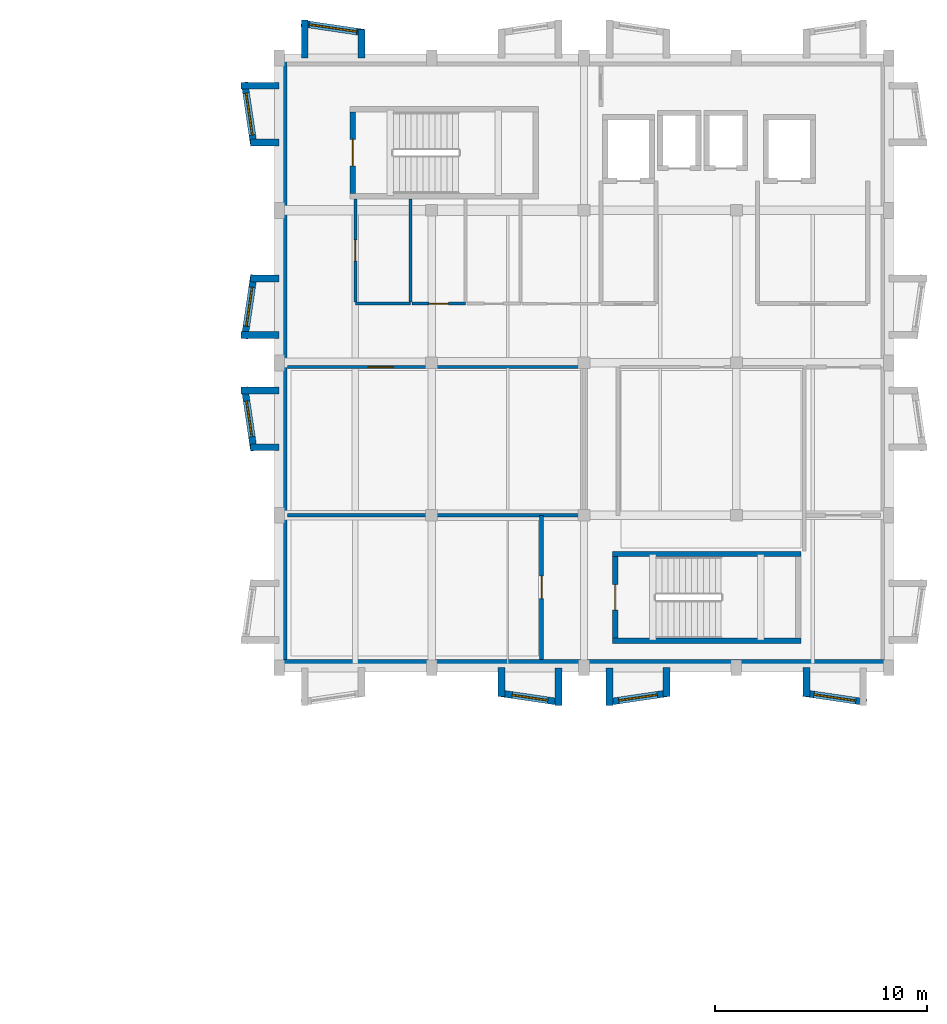
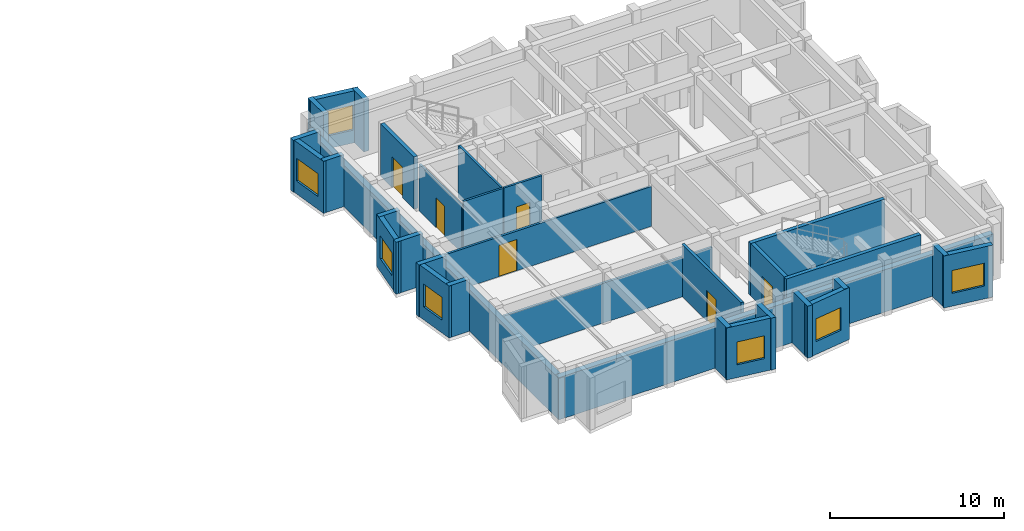
# One storey, part 6 of 12: 33 walls, 7 windows, 6 doors, 13 openings.
"""IFC4 building model written with IfcOpenShell, lengths in metres."""

import ifcopenshell
import ifcopenshell.guid

model = None  # the IFC model being written
_history = None  # IfcOwnerHistory: only IFC2X3 demands one
_inside = {}  # id of a spatial element -> (the spatial element, [elements in it])
_under = {}  # id of a project, library or spatial element -> (it, [spatial elements below it])
_declared = {}  # id of a project -> (the project, [libraries it declares])
_typed = {}  # id of a type object -> (the type object, [elements of that type])
_made_of = {}  # id of a material, layer set ... -> (it, [elements and type objects made of it])


def new_model(schema):
    """Start an empty IFC model of exactly this schema.

    Asked for "IFC4X3", IfcOpenShell would pick the latest addendum, in which some entities
    have other attributes; the version numbers below select the first issue.
    IFC2X3 requires an IfcOwnerHistory on every rooted entity: one is made here for all.
    """
    global model, _history
    if schema == "IFC4X3":
        model = ifcopenshell.file(schema_version=(4, 3, 0, 0))
    else:
        model = ifcopenshell.file(schema=schema)
    _inside.clear()
    _under.clear()
    _declared.clear()
    _typed.clear()
    _made_of.clear()
    _history = None
    if model.schema == "IFC2X3":
        org = make("IfcOrganization", Name="unknown")
        user = make(
            "IfcPersonAndOrganization",
            ThePerson=make("IfcPerson", FamilyName="unknown"),
            TheOrganization=org,
        )
        app = make(
            "IfcApplication",
            ApplicationDeveloper=org,
            Version="unknown",
            ApplicationFullName="unknown",
            ApplicationIdentifier="unknown",
        )
        _history = make(
            "IfcOwnerHistory",
            OwningUser=user,
            OwningApplication=app,
            ChangeAction="ADDED",
            CreationDate=0,
        )
    return model


def make(cls, **values):
    """One entity of the class cls with the attributes given. An attribute that is None is left unset."""
    return model.create_entity(
        cls, **{name: value for name, value in values.items() if value is not None}
    )


def rooted(cls, **values):
    """An entity with a GlobalId (a new one), such as an element, a storey or a relation."""
    return make(cls, GlobalId=ifcopenshell.guid.new(), OwnerHistory=_history, **values)


def si_unit(unit_type, name, prefix=None):
    """IfcSIUnit, for example si_unit("LENGTHUNIT", "METRE", prefix="MILLI")."""
    return make("IfcSIUnit", UnitType=unit_type, Prefix=prefix, Name=name)


def assignment(units):
    """IfcUnitAssignment: the units of a project."""
    return None if units is None else make("IfcUnitAssignment", Units=units)


def point(xyz):
    """IfcCartesianPoint."""
    return None if xyz is None else make("IfcCartesianPoint", Coordinates=xyz)


def direction(xyz):
    """IfcDirection."""
    return None if xyz is None else make("IfcDirection", DirectionRatios=xyz)


def frame(location, z_axis=None, x_axis=None):
    """IfcAxis2Placement3D, a coordinate frame: its origin and axes. An axis left out is left unset."""
    return make(
        "IfcAxis2Placement3D",
        Location=point(location),
        Axis=direction(z_axis),
        RefDirection=direction(x_axis),
    )


def frame_2d(location, x_axis=None):
    """IfcAxis2Placement2D, a coordinate frame in the plane: its origin and x axis."""
    return make(
        "IfcAxis2Placement2D", Location=point(location), RefDirection=direction(x_axis)
    )


def origin():
    """The frame at (0, 0, 0) with its axes left unset."""
    return frame((0.0, 0.0, 0.0))


def place(relative_to, where):
    """IfcLocalPlacement: puts the frame where relative to a parent placement (None: the world)."""
    return make(
        "IfcLocalPlacement", PlacementRelTo=relative_to, RelativePlacement=where
    )


def context(
    kind, dimensions, precision=None, world=None, true_north=None, identifier=None
):
    """IfcGeometricRepresentationContext, for example the 3D "Model" context."""
    return make(
        "IfcGeometricRepresentationContext",
        ContextIdentifier=identifier,
        ContextType=kind,
        CoordinateSpaceDimension=dimensions,
        Precision=precision,
        WorldCoordinateSystem=world,
        TrueNorth=true_north,
    )


def subcontext(parent, identifier, kind, view, scale=None):
    """IfcGeometricRepresentationSubContext, for example "Body" below "Model"."""
    return make(
        "IfcGeometricRepresentationSubContext",
        ContextIdentifier=identifier,
        ContextType=kind,
        ParentContext=parent,
        TargetScale=scale,
        TargetView=view,
    )


def project(units=None, contexts=None):
    """IfcProject with its units and contexts."""
    return rooted(
        "IfcProject",
        Name="project",
        RepresentationContexts=contexts,
        UnitsInContext=assignment(units),
    )


def spatial(cls, under=None, at=None, **own):
    """A site, building, storey or space (cls), placed at a placement, below another one or the project."""
    s = rooted(cls, ObjectPlacement=at, **own)
    if under is not None:
        _under.setdefault(under.id(), (under, []))[1].append(s)
    return s


def profile(cls, at=None, kind="AREA", **sizes):
    """A parametric profile (cls). Its sizes go by their IFC names, for example OverallWidth=200.0."""
    return make(cls, ProfileType=kind, Position=at, **sizes)


def rectangle(**sizes):
    """IfcRectangleProfileDef."""
    return profile("IfcRectangleProfileDef", **sizes)


def extrude(swept, where, along, depth):
    """IfcExtrudedAreaSolid: the profile swept, set in the frame where, extruded along a direction by depth."""
    return make(
        "IfcExtrudedAreaSolid",
        SweptArea=swept,
        Position=where,
        ExtrudedDirection=direction(along),
        Depth=depth,
    )


def shape(context_of_items, identifier, shape_type, items):
    """IfcShapeRepresentation: the items that make up one representation, for example the "Body"."""
    return make(
        "IfcShapeRepresentation",
        ContextOfItems=context_of_items,
        RepresentationIdentifier=identifier,
        RepresentationType=shape_type,
        Items=items,
    )


def material(Name=None, Category=None):
    """IfcMaterial."""
    return make("IfcMaterial", Name=Name, Category=Category)


def layer(
    of_material, thickness, ventilated=None, Name=None, Category=None, Priority=None
):
    """IfcMaterialLayer: one layer of a wall or slab, of a material (None: an air gap)."""
    return make(
        "IfcMaterialLayer",
        Material=of_material,
        LayerThickness=thickness,
        IsVentilated=ventilated,
        Name=Name,
        Category=Category,
        Priority=Priority,
    )


def layer_set(layers, Name=None):
    """IfcMaterialLayerSet."""
    return make("IfcMaterialLayerSet", MaterialLayers=layers, LayerSetName=Name)


def made_of(thing, what):
    """Note that an element or type object is made of a material, layer set ...; save() writes the relation."""
    if what is not None:
        _made_of.setdefault(what.id(), (what, []))[1].append(thing)
    return thing


def type_object(cls, material=None, **own):
    """A type object (cls), such as IfcWallType, which elements share."""
    return made_of(rooted(cls, **own), material)


def element(
    cls,
    number,
    at=None,
    inside=None,
    cuts=None,
    type_object=None,
    material=None,
    context=None,
    identifier="Body",
    shape_type=None,
    held_by="IfcProductDefinitionShape",
    body=None,
    shapes=None,
    **own,
):
    """One element of the class cls, such as IfcWall. Its Tag is "e" and its number.

    at: its placement. inside: the storey or other place that contains it. cuts: it is an
    opening in that element (IfcRelVoidsElement). A single representation is given by context,
    identifier, shape_type and body (its items); several are given by shapes. held_by: the class
    of the entity that holds the representations. save() writes the other relations.
    """
    e = rooted(cls, Tag="e%d" % number, ObjectPlacement=at, **own)
    if body is not None:
        shapes = [shape(context, identifier, shape_type, body)]
    if shapes is not None:
        e.Representation = make(held_by, Representations=shapes)
    if inside is not None:
        _inside.setdefault(inside.id(), (inside, []))[1].append(e)
    if cuts is not None:
        rooted(
            "IfcRelVoidsElement", RelatingBuildingElement=cuts, RelatedOpeningElement=e
        )
    if type_object is not None:
        _typed.setdefault(type_object.id(), (type_object, []))[1].append(e)
    return made_of(e, material)


def fill(opening, filler):
    """IfcRelFillsElement: the door or window that sits in an opening."""
    return rooted(
        "IfcRelFillsElement",
        RelatingOpeningElement=opening,
        RelatedBuildingElement=filler,
    )


def aggregate(whole, parts):
    """IfcRelAggregates: a whole, such as a stair, and the parts it consists of."""
    return rooted("IfcRelAggregates", RelatingObject=whole, RelatedObjects=parts)


def save(model, path):
    """Write the relations noted so far, then the file.

    IfcRelAggregates (storeys below a building ...), IfcRelContainedInSpatialStructure (elements
    in a storey), IfcRelDefinesByType, IfcRelAssociatesMaterial and IfcRelDeclares: one each for
    every whole, place, type object, material and project.
    """
    for whole, parts in _under.values():
        aggregate(whole, parts)
    for where, things in _inside.values():
        rooted(
            "IfcRelContainedInSpatialStructure",
            RelatedElements=things,
            RelatingStructure=where,
        )
    for kind, things in _typed.values():
        rooted("IfcRelDefinesByType", RelatedObjects=things, RelatingType=kind)
    for what, things in _made_of.values():
        rooted("IfcRelAssociatesMaterial", RelatedObjects=things, RelatingMaterial=what)
    for by, libraries in _declared.values():
        rooted("IfcRelDeclares", RelatingContext=by, RelatedDefinitions=libraries)
    model.write(path)


model = new_model("IFC4")

# Units and contexts
model_context = context("Model", 3, precision=1e-05, world=origin(), true_north=direction((0.0, 1.0)))
body_context = subcontext(model_context, "Body", "Model", "MODEL_VIEW")
ifc_project = project(units=[si_unit("LENGTHUNIT", "METRE"), si_unit("AREAUNIT", "SQUARE_METRE"), si_unit("VOLUMEUNIT", "CUBIC_METRE"), si_unit("PLANEANGLEUNIT", "RADIAN"), si_unit("MASSUNIT", "GRAM", prefix="KILO")], contexts=[model_context])

# Site, building, storey
site_placement = place(None, origin())
site = spatial("IfcSite", under=ifc_project, at=site_placement, CompositionType="ELEMENT")
building_placement = place(site_placement, origin())
building = spatial("IfcBuilding", under=site, at=building_placement, Name="Bramveld Media Centre", CompositionType="ELEMENT")
storey_placement = place(building_placement, frame((0.0, 0.0, 21.89990234375)))
storey = spatial("IfcBuildingStorey", under=building, at=storey_placement, Name="L05", CompositionType="ELEMENT", Elevation=21.89990234375)

# Wall, opening, door
ifc_material_1 = material(Name="Concrete C40/50 stair & lift core wall", Category="concrete")
ifc_layer_1 = layer(ifc_material_1, 0.25)
ifc_layer_set_1 = layer_set([ifc_layer_1], Name="Concrete C40/50 stair & lift core wall")
wall_type_1 = type_object("IfcWallType", Name="CWALL-SHEAR-250", PredefinedType="SHEAR", material=ifc_layer_set_1)
wall_1_placement = place(storey_placement, frame((134.675048828125, 109.449951171875, 0.0), z_axis=(0.0, 0.0, 1.0), x_axis=(0.0, -1.0, 0.0)))
wall_1 = element("IfcWall", 1, at=wall_1_placement, inside=storey, type_object=wall_type_1, Name="ST-01 L05 stair core shear wall W", PredefinedType="SHEAR", context=body_context, shape_type="SweptSolid", body=[
    extrude(rectangle(XDim=3.849853515625, YDim=0.25, at=frame_2d((1.9248046875, 0.0))), origin(), (0.0, 0.0, 1.0), 3.66015625),
])
opening_1_placement = place(wall_1_placement, frame((1.300048828125, 0.0, 0.0)))
opening_1 = element("IfcOpeningElement", 2, at=opening_1_placement, cuts=wall_1, Name="Opening SD-01-L05", PredefinedType="OPENING", context=body_context, shape_type="SweptSolid", body=[
    extrude(rectangle(XDim=1.25, YDim=2.14990234375, at=frame_2d((0.625, 1.074951171875))), frame((0.0, 0.136962890625, 0.0), z_axis=(0.0, -1.0, 0.0), x_axis=(1.0, 0.0, 0.0)), (0.0, 0.0, 1.0), 0.27392578125),
])
ifc_material_2 = material(Name="Painted galvanized steel acoustic fire door with intumescent smoke seals", Category="steel")
door_type_1 = type_object("IfcDoorType", Name="DR-ST-1250", OperationType="NOTDEFINED", PredefinedType="DOOR", material=ifc_material_2)
door_1_placement = place(opening_1_placement, origin())
door_1 = element("IfcDoor", 3, at=door_1_placement, inside=storey, type_object=door_type_1, Name="ST-01 L05 pressurized stair fire door", OperationType="SINGLE_SWING_RIGHT", OverallHeight=2.14990234375, OverallWidth=1.25, PredefinedType="DOOR", context=body_context, shape_type="SweptSolid", body=[
    extrude(rectangle(XDim=1.25, YDim=2.14990234375, at=frame_2d((0.625, 1.074951171875))), frame((0.0, 0.02490234375, 0.0), z_axis=(0.0, -1.0, 0.0), x_axis=(1.0, 0.0, 0.0)), (0.0, 0.0, 1.0), 0.050048828125),
])
fill(opening_1, door_1)

# Walls
for number, where, z_axis, x_axis, name in (
    (4, (146.949951171875, 84.47509765625, 0.0), (0.0, 0.0, 1.0), (1.0, 0.0, 0.0), "ST-02 L05 stair core shear wall S"),
    (5, (155.85009765625, 88.574951171875, 0.0), (0.0, 0.0, 1.0), (-1.0, 0.0, 0.0), "ST-02 L05 stair core shear wall N"),
):
    element("IfcWall", number, at=place(storey_placement, frame(where, z_axis=z_axis, x_axis=x_axis)), inside=storey, type_object=wall_type_1, Name=name, PredefinedType="SHEAR", context=body_context, shape_type="SweptSolid", body=[
        extrude(rectangle(XDim=8.900146484375, YDim=0.25, at=frame_2d((4.4501953125, 0.0))), origin(), (0.0, 0.0, 1.0), 3.66015625),
    ])

# Wall, opening, door
wall_2_placement = place(storey_placement, frame((147.074951171875, 88.449951171875, 0.0), z_axis=(0.0, 0.0, 1.0), x_axis=(0.0, -1.0, 0.0)))
wall_2 = element("IfcWall", 6, at=wall_2_placement, inside=storey, type_object=wall_type_1, Name="ST-02 L05 stair core shear wall W", PredefinedType="SHEAR", context=body_context, shape_type="SweptSolid", body=[
    extrude(rectangle(XDim=3.849853515625, YDim=0.25, at=frame_2d((1.9248046875, 0.0))), origin(), (0.0, 0.0, 1.0), 3.66015625),
])
opening_2_placement = place(wall_2_placement, frame((1.324951171875, 0.0, 0.0)))
opening_2 = element("IfcOpeningElement", 7, at=opening_2_placement, cuts=wall_2, Name="Opening SD-02-L05", PredefinedType="OPENING", context=body_context, shape_type="SweptSolid", body=[
    extrude(rectangle(XDim=1.199951171875, YDim=2.14990234375, at=frame_2d((0.60009765625, 1.074951171875))), frame((0.0, 0.136962890625, 0.0), z_axis=(0.0, -1.0, 0.0), x_axis=(1.0, 0.0, 0.0)), (0.0, 0.0, 1.0), 0.27392578125),
])
ifc_material_3 = material(Name="Painted galvanized steel acoustic fire door with intumescent smoke seals", Category="steel")
door_type_2 = type_object("IfcDoorType", Name="DR-ST-1200", OperationType="NOTDEFINED", PredefinedType="DOOR", material=ifc_material_3)
door_2_placement = place(opening_2_placement, origin())
door_2 = element("IfcDoor", 8, at=door_2_placement, inside=storey, type_object=door_type_2, Name="ST-02 L05 pressurized stair fire door", OperationType="SINGLE_SWING_RIGHT", OverallHeight=2.14990234375, OverallWidth=1.199951171875, PredefinedType="DOOR", context=body_context, shape_type="SweptSolid", body=[
    extrude(rectangle(XDim=1.199951171875, YDim=2.14990234375, at=frame_2d((0.60009765625, 1.074951171875))), frame((0.0, 0.02490234375, 0.0), z_axis=(0.0, -1.0, 0.0), x_axis=(1.0, 0.0, 0.0)), (0.0, 0.0, 1.0), 0.050048828125),
])
fill(opening_2, door_2)

# Walls
ifc_material_4 = material(Name="Flemish red-brown clay facing brick cavity wall with calcium-silicate backing", Category="masonry")
ifc_layer_2 = layer(ifc_material_4, 0.3798828125)
ifc_layer_set_2 = layer_set([ifc_layer_2], Name="Flemish red-brown clay facing brick cavity wall with calcium-silicate backing")
wall_type_2 = type_object("IfcWallType", Name="EW-BRK-380", PredefinedType="SOLIDWALL", material=ifc_layer_set_2)
wall_3_placement = place(storey_placement, frame((160.0, 83.389892578125, 0.0), z_axis=(0.0, 0.0, 1.0), x_axis=(-1.0, 0.0, 0.0)))
element("IfcWall", 9, at=wall_3_placement, inside=storey, type_object=wall_type_2, Name="V7 L05 S facing brick exterior wall", PredefinedType="SOLIDWALL", context=body_context, shape_type="SweptSolid", body=[
    extrude(rectangle(XDim=28.800048828125, YDim=0.3798828125, at=frame_2d((14.39990234375, 0.0))), origin(), (0.0, 0.0, 1.0), 2.955078125),
])
wall_4_placement = place(storey_placement, frame((131.389892578125, 83.199951171875, 0.0), z_axis=(0.0, 0.0, 1.0), x_axis=(0.0, 1.0, 0.0)))
element("IfcWall", 10, at=wall_4_placement, inside=storey, type_object=wall_type_2, Name="V7 L05 W facing brick exterior wall", PredefinedType="SOLIDWALL", context=body_context, shape_type="SweptSolid", body=[
    extrude(rectangle(XDim=28.800048828125, YDim=0.3798828125, at=frame_2d((14.39990234375, 0.0))), origin(), (0.0, 0.0, 1.0), 2.9150390625),
])

# Wall, opening, window
ifc_material_5 = material(Name="Precast concrete C40/50 & brick-slip faceted bay cheek wall", Category="masonry")
ifc_layer_3 = layer(ifc_material_5, 0.320068359375)
ifc_layer_set_3 = layer_set([ifc_layer_3], Name="Precast concrete C40/50 & brick-slip faceted bay cheek wall")
wall_type_3 = type_object("IfcWallType", Name="EW-FACET-320", PredefinedType="SOLIDWALL", material=ifc_layer_set_3)
wall_5_placement = place(storey_placement, frame((141.550048828125, 82.010009765625, 0.0), z_axis=(0.0, 0.0, 1.0), x_axis=(0.989266910268, -0.146119746268, 0.0)))
wall_5 = element("IfcWall", 11, at=wall_5_placement, inside=storey, type_object=wall_type_3, Name="V7 L05 S angled faceted bay front wall 2", PredefinedType="SOLIDWALL", context=body_context, shape_type="SweptSolid", body=[
    extrude(rectangle(XDim=3.032470703125, YDim=0.320068359375, at=frame_2d((1.51611328125, 0.0))), origin(), (0.0, 0.0, 1.0), 3.64013671875),
])
opening_3_placement = place(wall_5_placement, frame((0.666259765625, 0.0, 0.89990234375)))
opening_3 = element("IfcOpeningElement", 12, at=opening_3_placement, cuts=wall_5, Name="Opening W-29", PredefinedType="OPENING", context=body_context, shape_type="SweptSolid", body=[
    extrude(rectangle(XDim=1.699951171875, YDim=1.60009765625, at=frame_2d((0.85009765625, 0.800048828125))), frame((0.0, 0.171875, 0.0), z_axis=(0.0, -1.0, 0.0), x_axis=(1.0, 0.0, 0.0)), (0.0, 0.0, 1.0), 0.343994140625),
])
ifc_material_6 = material(Name="Thermally broken anodized bronze aluminium frame with triple acoustic glazing", Category="aluminium")
window_type_1 = type_object("IfcWindowType", Name="WIN-FAC-29", PartitioningType="SINGLE_PANEL", PredefinedType="WINDOW", material=ifc_material_6)
window_1_placement = place(opening_3_placement, origin())
window_1 = element("IfcWindow", 13, at=window_1_placement, inside=storey, type_object=window_type_1, Name="V7 L05 S faceted bay window 2", OverallHeight=1.60009765625, OverallWidth=1.699951171875, PartitioningType="SINGLE_PANEL", PredefinedType="WINDOW", context=body_context, shape_type="SweptSolid", body=[
    extrude(rectangle(XDim=1.699951171875, YDim=1.60009765625, at=frame_2d((0.85009765625, 0.800048828125))), frame((0.0, 0.030029296875, 0.0), z_axis=(0.0, -1.0, 0.0), x_axis=(1.0, 0.0, 0.0)), (0.0, 0.0, 1.0), 0.06005859375),
])
fill(opening_3, window_1)

# Walls
wall_6_placement = place(storey_placement, frame((141.7099609375, 83.199951171875, 0.0), z_axis=(0.0, 0.0, 1.0), x_axis=(0.0, -1.0, 0.0)))
element("IfcWall", 14, at=wall_6_placement, inside=storey, type_object=wall_type_3, Name="V7 L05 S faceted bay cheek wall", PredefinedType="SOLIDWALL", context=body_context, shape_type="SweptSolid", body=[
    extrude(rectangle(XDim=1.349853515625, YDim=0.320068359375, at=frame_2d((0.6748046875, 0.0))), origin(), (0.0, 0.0, 1.0), 3.64013671875),
])
wall_7_placement = place(storey_placement, frame((144.389892578125, 83.199951171875, 0.0), z_axis=(0.0, 0.0, 1.0), x_axis=(0.0, -1.0, 0.0)))
element("IfcWall", 15, at=wall_7_placement, inside=storey, type_object=wall_type_3, Name="V7 L05 S faceted bay cheek wall", PredefinedType="SOLIDWALL", context=body_context, shape_type="SweptSolid", body=[
    extrude(rectangle(XDim=1.79296875, YDim=0.320068359375, at=frame_2d((0.896484375, 0.0))), origin(), (0.0, 0.0, 1.0), 3.64013671875),
])

# Wall, opening, window
wall_8_placement = place(storey_placement, frame((146.64990234375, 81.56689453125, 0.0), z_axis=(0.0, 0.0, 1.0), x_axis=(0.989266910268, 0.146119746268, 0.0)))
wall_8 = element("IfcWall", 16, at=wall_8_placement, inside=storey, type_object=wall_type_3, Name="V7 L05 S angled faceted bay front wall 3", PredefinedType="SOLIDWALL", context=body_context, shape_type="SweptSolid", body=[
    extrude(rectangle(XDim=3.032470703125, YDim=0.320068359375, at=frame_2d((1.51611328125, 0.0))), origin(), (0.0, 0.0, 1.0), 3.64013671875),
])
opening_4_placement = place(wall_8_placement, frame((0.59130859375, 0.0, 0.89990234375)))
opening_4 = element("IfcOpeningElement", 17, at=opening_4_placement, cuts=wall_8, Name="Opening W-30", PredefinedType="OPENING", context=body_context, shape_type="SweptSolid", body=[
    extrude(rectangle(XDim=1.85009765625, YDim=1.60009765625, at=frame_2d((0.925048828125, 0.800048828125))), frame((0.0, 0.171875, 0.0), z_axis=(0.0, -1.0, 0.0), x_axis=(1.0, 0.0, 0.0)), (0.0, 0.0, 1.0), 0.343994140625),
])
ifc_material_7 = material(Name="Thermally broken anodized bronze aluminium frame with triple acoustic glazing", Category="aluminium")
window_type_2 = type_object("IfcWindowType", Name="WIN-FAC-30", PartitioningType="SINGLE_PANEL", PredefinedType="WINDOW", material=ifc_material_7)
window_2_placement = place(opening_4_placement, origin())
window_2 = element("IfcWindow", 18, at=window_2_placement, inside=storey, type_object=window_type_2, Name="V7 L05 S faceted bay window 3", OverallHeight=1.60009765625, OverallWidth=1.85009765625, PartitioningType="SINGLE_PANEL", PredefinedType="WINDOW", context=body_context, shape_type="SweptSolid", body=[
    extrude(rectangle(XDim=1.85009765625, YDim=1.60009765625, at=frame_2d((0.925048828125, 0.800048828125))), frame((0.0, 0.030029296875, 0.0), z_axis=(0.0, -1.0, 0.0), x_axis=(1.0, 0.0, 0.0)), (0.0, 0.0, 1.0), 0.06005859375),
])
fill(opening_4, window_2)

# Walls
wall_9_placement = place(storey_placement, frame((146.81005859375, 83.199951171875, 0.0), z_axis=(0.0, 0.0, 1.0), x_axis=(0.0, -1.0, 0.0)))
element("IfcWall", 19, at=wall_9_placement, inside=storey, type_object=wall_type_3, Name="V7 L05 S faceted bay cheek wall", PredefinedType="SOLIDWALL", context=body_context, shape_type="SweptSolid", body=[
    extrude(rectangle(XDim=1.79296875, YDim=0.320068359375, at=frame_2d((0.896484375, 0.0))), origin(), (0.0, 0.0, 1.0), 3.64013671875),
])
wall_10_placement = place(storey_placement, frame((149.489990234375, 83.199951171875, 0.0), z_axis=(0.0, 0.0, 1.0), x_axis=(0.0, -1.0, 0.0)))
element("IfcWall", 20, at=wall_10_placement, inside=storey, type_object=wall_type_3, Name="V7 L05 S faceted bay cheek wall", PredefinedType="SOLIDWALL", context=body_context, shape_type="SweptSolid", body=[
    extrude(rectangle(XDim=1.349853515625, YDim=0.320068359375, at=frame_2d((0.6748046875, 0.0))), origin(), (0.0, 0.0, 1.0), 3.64013671875),
])

# Wall, opening, window
wall_11_placement = place(storey_placement, frame((155.949951171875, 82.010009765625, 0.0), z_axis=(0.0, 0.0, 1.0), x_axis=(0.989266910268, -0.146119746268, 0.0)))
wall_11 = element("IfcWall", 21, at=wall_11_placement, inside=storey, type_object=wall_type_3, Name="V7 L05 S angled faceted bay front wall 4", PredefinedType="SOLIDWALL", context=body_context, shape_type="SweptSolid", body=[
    extrude(rectangle(XDim=3.032470703125, YDim=0.320068359375, at=frame_2d((1.51611328125, 0.0))), origin(), (0.0, 0.0, 1.0), 3.64013671875),
])
opening_5_placement = place(wall_11_placement, frame((0.516357421875, 0.0, 0.89990234375)))
opening_5 = element("IfcOpeningElement", 22, at=opening_5_placement, cuts=wall_11, Name="Opening W-31", PredefinedType="OPENING", context=body_context, shape_type="SweptSolid", body=[
    extrude(rectangle(XDim=2.0, YDim=1.60009765625, at=frame_2d((1.0, 0.800048828125))), frame((0.0, 0.171875, 0.0), z_axis=(0.0, -1.0, 0.0), x_axis=(1.0, 0.0, 0.0)), (0.0, 0.0, 1.0), 0.343994140625),
])
ifc_material_8 = material(Name="Thermally broken anodized bronze aluminium frame with triple acoustic glazing", Category="aluminium")
window_type_3 = type_object("IfcWindowType", Name="WIN-FAC-31", PartitioningType="SINGLE_PANEL", PredefinedType="WINDOW", material=ifc_material_8)
window_3_placement = place(opening_5_placement, origin())
window_3 = element("IfcWindow", 23, at=window_3_placement, inside=storey, type_object=window_type_3, Name="V7 L05 S faceted bay window 4", OverallHeight=1.60009765625, OverallWidth=2.0, PartitioningType="SINGLE_PANEL", PredefinedType="WINDOW", context=body_context, shape_type="SweptSolid", body=[
    extrude(rectangle(XDim=2.0, YDim=1.60009765625, at=frame_2d((1.0, 0.800048828125))), frame((0.0, 0.030029296875, 0.0), z_axis=(0.0, -1.0, 0.0), x_axis=(1.0, 0.0, 0.0)), (0.0, 0.0, 1.0), 0.06005859375),
])
fill(opening_5, window_3)

# Wall
wall_12_placement = place(storey_placement, frame((156.110107421875, 83.199951171875, 0.0), z_axis=(0.0, 0.0, 1.0), x_axis=(0.0, -1.0, 0.0)))
element("IfcWall", 24, at=wall_12_placement, inside=storey, type_object=wall_type_3, Name="V7 L05 S faceted bay cheek wall", PredefinedType="SOLIDWALL", context=body_context, shape_type="SweptSolid", body=[
    extrude(rectangle(XDim=1.349853515625, YDim=0.320068359375, at=frame_2d((0.6748046875, 0.0))), origin(), (0.0, 0.0, 1.0), 3.64013671875),
])

# Wall, opening, window
wall_13_placement = place(storey_placement, frame((135.25, 113.18994140625, 0.0), z_axis=(0.0, 0.0, 1.0), x_axis=(-0.989266910268, 0.146119746268, 0.0)))
wall_13 = element("IfcWall", 25, at=wall_13_placement, inside=storey, type_object=wall_type_3, Name="V7 L05 N angled faceted bay front wall 1", PredefinedType="SOLIDWALL", context=body_context, shape_type="SweptSolid", body=[
    extrude(rectangle(XDim=3.032470703125, YDim=0.320068359375, at=frame_2d((1.51611328125, 0.0))), origin(), (0.0, 0.0, 1.0), 3.64013671875),
])
opening_6_placement = place(wall_13_placement, frame((0.391357421875, 0.0, 0.89990234375)))
opening_6 = element("IfcOpeningElement", 26, at=opening_6_placement, cuts=wall_13, Name="Opening W-36", PredefinedType="OPENING", context=body_context, shape_type="SweptSolid", body=[
    extrude(rectangle(XDim=2.25, YDim=1.75, at=frame_2d((1.125, 0.875))), frame((0.0, 0.171875, 0.0), z_axis=(0.0, -1.0, 0.0), x_axis=(1.0, 0.0, 0.0)), (0.0, 0.0, 1.0), 0.343994140625),
])
ifc_material_9 = material(Name="Thermally broken anodized bronze aluminium frame with triple acoustic glazing", Category="aluminium")
window_type_4 = type_object("IfcWindowType", Name="WIN-FAC-36", PartitioningType="SINGLE_PANEL", PredefinedType="WINDOW", material=ifc_material_9)
window_4_placement = place(opening_6_placement, origin())
window_4 = element("IfcWindow", 27, at=window_4_placement, inside=storey, type_object=window_type_4, Name="V7 L05 N faceted bay window 1", OverallHeight=1.75, OverallWidth=2.25, PartitioningType="SINGLE_PANEL", PredefinedType="WINDOW", context=body_context, shape_type="SweptSolid", body=[
    extrude(rectangle(XDim=2.25, YDim=1.75, at=frame_2d((1.125, 0.875))), frame((0.0, 0.030029296875, 0.0), z_axis=(0.0, -1.0, 0.0), x_axis=(1.0, 0.0, 0.0)), (0.0, 0.0, 1.0), 0.06005859375),
])
fill(opening_6, window_4)

# Walls
wall_14_placement = place(storey_placement, frame((132.409912109375, 112.0, 0.0), z_axis=(0.0, 0.0, 1.0), x_axis=(0.0, 1.0, 0.0)))
element("IfcWall", 28, at=wall_14_placement, inside=storey, type_object=wall_type_3, Name="V7 L05 N faceted bay cheek wall", PredefinedType="SOLIDWALL", context=body_context, shape_type="SweptSolid", body=[
    extrude(rectangle(XDim=1.79296875, YDim=0.320068359375, at=frame_2d((0.896484375, 0.0))), origin(), (0.0, 0.0, 1.0), 3.64013671875),
])
wall_15_placement = place(storey_placement, frame((135.090087890625, 112.0, 0.0), z_axis=(0.0, 0.0, 1.0), x_axis=(0.0, 1.0, 0.0)))
element("IfcWall", 29, at=wall_15_placement, inside=storey, type_object=wall_type_3, Name="V7 L05 N faceted bay cheek wall", PredefinedType="SOLIDWALL", context=body_context, shape_type="SweptSolid", body=[
    extrude(rectangle(XDim=1.35009765625, YDim=0.320068359375, at=frame_2d((0.675048828125, 0.0))), origin(), (0.0, 0.0, 1.0), 3.64013671875),
])

# Wall, opening, window
wall_16_placement = place(storey_placement, frame((129.56689453125, 96.449951171875, 0.0), z_axis=(0.0, 0.0, 1.0), x_axis=(0.146119746268, -0.989266910268, 0.0)))
wall_16 = element("IfcWall", 30, at=wall_16_placement, inside=storey, type_object=wall_type_3, Name="V7 L05 W angled faceted bay front wall 2", PredefinedType="SOLIDWALL", context=body_context, shape_type="SweptSolid", body=[
    extrude(rectangle(XDim=3.032470703125, YDim=0.320068359375, at=frame_2d((1.51611328125, 0.0))), origin(), (0.0, 0.0, 1.0), 3.64013671875),
])
opening_7_placement = place(wall_16_placement, frame((0.666259765625, 0.0, 0.89990234375)))
opening_7 = element("IfcOpeningElement", 31, at=opening_7_placement, cuts=wall_16, Name="Opening W-29", PredefinedType="OPENING", context=body_context, shape_type="SweptSolid", body=[
    extrude(rectangle(XDim=1.699951171875, YDim=1.60009765625, at=frame_2d((0.85009765625, 0.800048828125))), frame((0.0, 0.171875, 0.0), z_axis=(0.0, -1.0, 0.0), x_axis=(1.0, 0.0, 0.0)), (0.0, 0.0, 1.0), 0.343994140625),
])
window_5_placement = place(opening_7_placement, origin())
window_5 = element("IfcWindow", 32, at=window_5_placement, inside=storey, type_object=window_type_1, Name="V7 L05 W faceted bay window 2", OverallHeight=1.60009765625, OverallWidth=1.699951171875, PartitioningType="SINGLE_PANEL", PredefinedType="WINDOW", context=body_context, shape_type="SweptSolid", body=[
    extrude(rectangle(XDim=1.699951171875, YDim=1.60009765625, at=frame_2d((0.85009765625, 0.800048828125))), frame((0.0, 0.030029296875, 0.0), z_axis=(0.0, -1.0, 0.0), x_axis=(1.0, 0.0, 0.0)), (0.0, 0.0, 1.0), 0.06005859375),
])
fill(opening_7, window_5)

# Walls
wall_17_placement = place(storey_placement, frame((131.199951171875, 93.610107421875, 0.0), z_axis=(0.0, 0.0, 1.0), x_axis=(-1.0, 0.0, 0.0)))
element("IfcWall", 33, at=wall_17_placement, inside=storey, type_object=wall_type_3, Name="V7 L05 W faceted bay cheek wall", PredefinedType="SOLIDWALL", context=body_context, shape_type="SweptSolid", body=[
    extrude(rectangle(XDim=1.349853515625, YDim=0.320068359375, at=frame_2d((0.6748046875, 0.0))), origin(), (0.0, 0.0, 1.0), 3.64013671875),
])
wall_18_placement = place(storey_placement, frame((131.199951171875, 96.2900390625, 0.0), z_axis=(0.0, 0.0, 1.0), x_axis=(-1.0, 0.0, 0.0)))
element("IfcWall", 34, at=wall_18_placement, inside=storey, type_object=wall_type_3, Name="V7 L05 W faceted bay cheek wall", PredefinedType="SOLIDWALL", context=body_context, shape_type="SweptSolid", body=[
    extrude(rectangle(XDim=1.79296875, YDim=0.320068359375, at=frame_2d((0.896484375, 0.0))), origin(), (0.0, 0.0, 1.0), 3.64013671875),
])

# Wall, opening, window
wall_19_placement = place(storey_placement, frame((130.010009765625, 101.75, 0.0), z_axis=(0.0, 0.0, 1.0), x_axis=(-0.146119746268, -0.989266910268, 0.0)))
wall_19 = element("IfcWall", 35, at=wall_19_placement, inside=storey, type_object=wall_type_3, Name="V7 L05 W angled faceted bay front wall 3", PredefinedType="SOLIDWALL", context=body_context, shape_type="SweptSolid", body=[
    extrude(rectangle(XDim=3.032470703125, YDim=0.320068359375, at=frame_2d((1.51611328125, 0.0))), origin(), (0.0, 0.0, 1.0), 3.64013671875),
])
opening_8_placement = place(wall_19_placement, frame((0.59130859375, 0.0, 0.89990234375)))
opening_8 = element("IfcOpeningElement", 36, at=opening_8_placement, cuts=wall_19, Name="Opening W-30", PredefinedType="OPENING", context=body_context, shape_type="SweptSolid", body=[
    extrude(rectangle(XDim=1.85009765625, YDim=1.60009765625, at=frame_2d((0.925048828125, 0.800048828125))), frame((0.0, 0.171875, 0.0), z_axis=(0.0, -1.0, 0.0), x_axis=(1.0, 0.0, 0.0)), (0.0, 0.0, 1.0), 0.343994140625),
])
window_6_placement = place(opening_8_placement, origin())
window_6 = element("IfcWindow", 37, at=window_6_placement, inside=storey, type_object=window_type_2, Name="V7 L05 W faceted bay window 3", OverallHeight=1.60009765625, OverallWidth=1.85009765625, PartitioningType="SINGLE_PANEL", PredefinedType="WINDOW", context=body_context, shape_type="SweptSolid", body=[
    extrude(rectangle(XDim=1.85009765625, YDim=1.60009765625, at=frame_2d((0.925048828125, 0.800048828125))), frame((0.0, 0.030029296875, 0.0), z_axis=(0.0, -1.0, 0.0), x_axis=(1.0, 0.0, 0.0)), (0.0, 0.0, 1.0), 0.06005859375),
])
fill(opening_8, window_6)

# Walls
wall_20_placement = place(storey_placement, frame((131.199951171875, 98.909912109375, 0.0), z_axis=(0.0, 0.0, 1.0), x_axis=(-1.0, 0.0, 0.0)))
element("IfcWall", 38, at=wall_20_placement, inside=storey, type_object=wall_type_3, Name="V7 L05 W faceted bay cheek wall", PredefinedType="SOLIDWALL", context=body_context, shape_type="SweptSolid", body=[
    extrude(rectangle(XDim=1.79296875, YDim=0.320068359375, at=frame_2d((0.896484375, 0.0))), origin(), (0.0, 0.0, 1.0), 3.64013671875),
])
wall_21_placement = place(storey_placement, frame((131.199951171875, 101.590087890625, 0.0), z_axis=(0.0, 0.0, 1.0), x_axis=(-1.0, 0.0, 0.0)))
element("IfcWall", 39, at=wall_21_placement, inside=storey, type_object=wall_type_3, Name="V7 L05 W faceted bay cheek wall", PredefinedType="SOLIDWALL", context=body_context, shape_type="SweptSolid", body=[
    extrude(rectangle(XDim=1.349853515625, YDim=0.320068359375, at=frame_2d((0.6748046875, 0.0))), origin(), (0.0, 0.0, 1.0), 3.64013671875),
])

# Wall, opening, window
wall_22_placement = place(storey_placement, frame((129.56689453125, 110.85009765625, 0.0), z_axis=(0.0, 0.0, 1.0), x_axis=(0.146119746268, -0.989266910268, 0.0)))
wall_22 = element("IfcWall", 40, at=wall_22_placement, inside=storey, type_object=wall_type_3, Name="V7 L05 W angled faceted bay front wall 4", PredefinedType="SOLIDWALL", context=body_context, shape_type="SweptSolid", body=[
    extrude(rectangle(XDim=3.032470703125, YDim=0.320068359375, at=frame_2d((1.51611328125, 0.0))), origin(), (0.0, 0.0, 1.0), 3.64013671875),
])
opening_9_placement = place(wall_22_placement, frame((0.516357421875, 0.0, 0.89990234375)))
opening_9 = element("IfcOpeningElement", 41, at=opening_9_placement, cuts=wall_22, Name="Opening W-31", PredefinedType="OPENING", context=body_context, shape_type="SweptSolid", body=[
    extrude(rectangle(XDim=2.0, YDim=1.60009765625, at=frame_2d((1.0, 0.800048828125))), frame((0.0, 0.171875, 0.0), z_axis=(0.0, -1.0, 0.0), x_axis=(1.0, 0.0, 0.0)), (0.0, 0.0, 1.0), 0.343994140625),
])
window_7_placement = place(opening_9_placement, origin())
window_7 = element("IfcWindow", 42, at=window_7_placement, inside=storey, type_object=window_type_3, Name="V7 L05 W faceted bay window 4", OverallHeight=1.60009765625, OverallWidth=2.0, PartitioningType="SINGLE_PANEL", PredefinedType="WINDOW", context=body_context, shape_type="SweptSolid", body=[
    extrude(rectangle(XDim=2.0, YDim=1.60009765625, at=frame_2d((1.0, 0.800048828125))), frame((0.0, 0.030029296875, 0.0), z_axis=(0.0, -1.0, 0.0), x_axis=(1.0, 0.0, 0.0)), (0.0, 0.0, 1.0), 0.06005859375),
])
fill(opening_9, window_7)

# Walls
wall_23_placement = place(storey_placement, frame((131.199951171875, 108.010009765625, 0.0), z_axis=(0.0, 0.0, 1.0), x_axis=(-1.0, 0.0, 0.0)))
element("IfcWall", 43, at=wall_23_placement, inside=storey, type_object=wall_type_3, Name="V7 L05 W faceted bay cheek wall", PredefinedType="SOLIDWALL", context=body_context, shape_type="SweptSolid", body=[
    extrude(rectangle(XDim=1.349853515625, YDim=0.320068359375, at=frame_2d((0.6748046875, 0.0))), origin(), (0.0, 0.0, 1.0), 3.64013671875),
])
wall_24_placement = place(storey_placement, frame((131.199951171875, 110.68994140625, 0.0), z_axis=(0.0, 0.0, 1.0), x_axis=(-1.0, 0.0, 0.0)))
element("IfcWall", 44, at=wall_24_placement, inside=storey, type_object=wall_type_3, Name="V7 L05 W faceted bay cheek wall", PredefinedType="SOLIDWALL", context=body_context, shape_type="SweptSolid", body=[
    extrude(rectangle(XDim=1.79296875, YDim=0.320068359375, at=frame_2d((0.896484375, 0.0))), origin(), (0.0, 0.0, 1.0), 3.64013671875),
])

# Wall, opening, door
ifc_material_10 = material(Name="Fire-rated twin-frame gypsum corridor wall", Category="gypsum")
ifc_layer_4 = layer(ifc_material_10, 0.179931640625)
ifc_layer_set_4 = layer_set([ifc_layer_4], Name="Fire-rated twin-frame gypsum corridor wall")
wall_type_4 = type_object("IfcWallType", Name="IW-FIRE-180", PredefinedType="PARTITIONING", material=ifc_layer_set_4)
wall_25_placement = place(storey_placement, frame((143.60009765625, 83.60009765625, 0.0), z_axis=(0.0, 0.0, 1.0), x_axis=(0.0, 1.0, 0.0)))
wall_25 = element("IfcWall", 45, at=wall_25_placement, inside=storey, type_object=wall_type_4, Name="Stair ST-02 L05 Landing Lobby partition wall", PredefinedType="PARTITIONING", context=body_context, shape_type="SweptSolid", body=[
    extrude(rectangle(XDim=6.7998046875, YDim=0.179931640625, at=frame_2d((3.39990234375, 0.0))), origin(), (0.0, 0.0, 1.0), 3.66015625),
])
opening_10_placement = place(wall_25_placement, frame((2.860107421875, 0.0, 0.0)))
opening_10 = element("IfcOpeningElement", 46, at=opening_10_placement, cuts=wall_25, Name="Opening D-05-202", PredefinedType="OPENING", context=body_context, shape_type="SweptSolid", body=[
    extrude(rectangle(XDim=1.080078125, YDim=2.14990234375, at=frame_2d((0.5400390625, 1.074951171875))), frame((0.0, 0.10205078125, 0.0), z_axis=(0.0, -1.0, 0.0), x_axis=(1.0, 0.0, 0.0)), (0.0, 0.0, 1.0), 0.203857421875),
])
ifc_material_11 = material(Name="Solid-core European oak acoustic timber leaf in steel frame", Category="steel")
door_type_3 = type_object("IfcDoorType", Name="DR-RM-1080", OperationType="NOTDEFINED", PredefinedType="DOOR", material=ifc_material_11)
door_3_placement = place(opening_10_placement, origin())
door_3 = element("IfcDoor", 47, at=door_3_placement, inside=storey, type_object=door_type_3, Name="International Cinema Subtitling Studio entrance door", OperationType="SINGLE_SWING_RIGHT", OverallHeight=2.14990234375, OverallWidth=1.080078125, PredefinedType="DOOR", context=body_context, shape_type="SweptSolid", body=[
    extrude(rectangle(XDim=1.080078125, YDim=2.14990234375, at=frame_2d((0.5400390625, 1.074951171875))), frame((0.0, 0.02490234375, 0.0), z_axis=(0.0, -1.0, 0.0), x_axis=(1.0, 0.0, 0.0)), (0.0, 0.0, 1.0), 0.050048828125),
])
fill(opening_10, door_3)

# Wall
ifc_material_12 = material(Name="Insulated metal-stud gypsum room partition", Category="gypsum")
ifc_layer_5 = layer(ifc_material_12, 0.14990234375)
ifc_layer_set_5 = layer_set([ifc_layer_5], Name="Insulated metal-stud gypsum room partition")
wall_type_5 = type_object("IfcWallType", Name="IW-PART-150", PredefinedType="PARTITIONING", material=ifc_layer_set_5)
wall_26_placement = place(storey_placement, frame((131.60009765625, 90.39990234375, 0.0), z_axis=(0.0, 0.0, 1.0), x_axis=(1.0, 0.0, 0.0)))
element("IfcWall", 48, at=wall_26_placement, inside=storey, type_object=wall_type_5, Name="Festival Directorate & Programming Office partition wall", PredefinedType="PARTITIONING", context=body_context, shape_type="SweptSolid", body=[
    extrude(rectangle(XDim=13.89990234375, YDim=0.14990234375, at=frame_2d((6.949951171875, 0.0))), origin(), (0.0, 0.0, 1.0), 2.78515625),
])

# Wall, opening, door
wall_27_placement = place(storey_placement, frame((131.60009765625, 97.39990234375, 0.0), z_axis=(0.0, 0.0, 1.0), x_axis=(1.0, 0.0, 0.0)))
wall_27 = element("IfcWall", 49, at=wall_27_placement, inside=storey, type_object=wall_type_5, Name="Festival Directorate & Programming Office partition wall", PredefinedType="PARTITIONING", context=body_context, shape_type="SweptSolid", body=[
    extrude(rectangle(XDim=13.89990234375, YDim=0.14990234375, at=frame_2d((6.949951171875, 0.0))), origin(), (0.0, 0.0, 1.0), 2.78515625),
])
opening_11_placement = place(wall_27_placement, frame((3.81591796875, 0.0, 0.0)))
opening_11 = element("IfcOpeningElement", 50, at=opening_11_placement, cuts=wall_27, Name="Opening D-05-200", PredefinedType="OPENING", context=body_context, shape_type="SweptSolid", body=[
    extrude(rectangle(XDim=1.179931640625, YDim=2.199951171875, at=frame_2d((0.58984375, 1.10009765625))), frame((0.0, 0.0869140625, 0.0), z_axis=(0.0, -1.0, 0.0), x_axis=(1.0, 0.0, 0.0)), (0.0, 0.0, 1.0), 0.173828125),
])
ifc_material_13 = material(Name="Fire-rated acoustic timber & steel composite door", Category="steel")
door_type_4 = type_object("IfcDoorType", Name="DR-STU-1180", OperationType="NOTDEFINED", PredefinedType="DOOR", material=ifc_material_13)
door_4_placement = place(opening_11_placement, origin())
door_4 = element("IfcDoor", 51, at=door_4_placement, inside=storey, type_object=door_type_4, Name="Festival Directorate & Programming Office entrance door", OperationType="SINGLE_SWING_RIGHT", OverallHeight=2.199951171875, OverallWidth=1.179931640625, PredefinedType="DOOR", context=body_context, shape_type="SweptSolid", body=[
    extrude(rectangle(XDim=1.179931640625, YDim=2.199951171875, at=frame_2d((0.58984375, 1.10009765625))), frame((0.0, 0.02490234375, 0.0), z_axis=(0.0, -1.0, 0.0), x_axis=(1.0, 0.0, 0.0)), (0.0, 0.0, 1.0), 0.050048828125),
])
fill(opening_11, door_4)

# Wall
ifc_material_14 = material(Name="Moisture-resistant cement-board sanitary partition", Category="gypsum")
ifc_layer_6 = layer(ifc_material_14, 0.139892578125)
ifc_layer_set_6 = layer_set([ifc_layer_6], Name="Moisture-resistant cement-board sanitary partition")
wall_type_6 = type_object("IfcWallType", Name="IW-WET-140", PredefinedType="PARTITIONING", material=ifc_layer_set_6)
wall_28_placement = place(storey_placement, frame((134.800048828125, 100.39990234375, 0.0), z_axis=(0.0, 0.0, 1.0), x_axis=(1.0, 0.0, 0.0)))
element("IfcWall", 52, at=wall_28_placement, inside=storey, type_object=wall_type_6, Name="Accessible WC partition wall", PredefinedType="PARTITIONING", context=body_context, shape_type="SweptSolid", body=[
    extrude(rectangle(XDim=2.599853515625, YDim=0.139892578125, at=frame_2d((1.2998046875, 0.0))), origin(), (0.0, 0.0, 1.0), 3.66015625),
])

# Wall, opening, door
wall_29_placement = place(storey_placement, frame((134.800048828125, 100.47998046875, 0.0), z_axis=(0.0, 0.0, 1.0), x_axis=(0.0, 1.0, 0.0)))
wall_29 = element("IfcWall", 53, at=wall_29_placement, inside=storey, type_object=wall_type_6, Name="Accessible WC partition wall", PredefinedType="PARTITIONING", context=body_context, shape_type="SweptSolid", body=[
    extrude(rectangle(XDim=4.860107421875, YDim=0.139892578125, at=frame_2d((2.43017578125, 0.0))), origin(), (0.0, 0.0, 1.0), 3.275146484375),
])
opening_12_placement = place(wall_29_placement, frame((1.929931640625, 0.0, 0.0)))
opening_12 = element("IfcOpeningElement", 54, at=opening_12_placement, cuts=wall_29, Name="Opening D-05-196", PredefinedType="OPENING", context=body_context, shape_type="SweptSolid", body=[
    extrude(rectangle(XDim=1.0, YDim=2.10009765625, at=frame_2d((0.5, 1.050048828125))), frame((0.0, 0.08203125, 0.0), z_axis=(0.0, -1.0, 0.0), x_axis=(1.0, 0.0, 0.0)), (0.0, 0.0, 1.0), 0.163818359375),
])
ifc_material_15 = material(Name="Solid-core European oak acoustic timber leaf in steel frame", Category="steel")
door_type_5 = type_object("IfcDoorType", Name="DR-WC-PMR-1000", OperationType="NOTDEFINED", PredefinedType="DOOR", material=ifc_material_15)
door_5_placement = place(opening_12_placement, origin())
door_5 = element("IfcDoor", 55, at=door_5_placement, inside=storey, type_object=door_type_5, Name="Accessible WC entrance door", OperationType="SINGLE_SWING_RIGHT", OverallHeight=2.10009765625, OverallWidth=1.0, PredefinedType="DOOR", context=body_context, shape_type="SweptSolid", body=[
    extrude(rectangle(XDim=1.0, YDim=2.10009765625, at=frame_2d((0.5, 1.050048828125))), frame((0.0, 0.02490234375, 0.0), z_axis=(0.0, -1.0, 0.0), x_axis=(1.0, 0.0, 0.0)), (0.0, 0.0, 1.0), 0.050048828125),
])
fill(opening_12, door_5)

# Wall
wall_30_placement = place(storey_placement, frame((137.39990234375, 100.47998046875, 0.0), z_axis=(0.0, 0.0, 1.0), x_axis=(0.0, 1.0, 0.0)))
element("IfcWall", 56, at=wall_30_placement, inside=storey, type_object=wall_type_6, Name="Accessible WC partition wall", PredefinedType="PARTITIONING", context=body_context, shape_type="SweptSolid", body=[
    extrude(rectangle(XDim=4.860107421875, YDim=0.139892578125, at=frame_2d((2.43017578125, 0.0))), origin(), (0.0, 0.0, 1.0), 3.66015625),
])

# Wall, opening, door
wall_31_placement = place(storey_placement, frame((137.47998046875, 100.39990234375, 0.0), z_axis=(0.0, 0.0, 1.0), x_axis=(1.0, 0.0, 0.0)))
wall_31 = element("IfcWall", 57, at=wall_31_placement, inside=storey, type_object=wall_type_6, Name="Male WC partition wall", PredefinedType="PARTITIONING", context=body_context, shape_type="SweptSolid", body=[
    extrude(rectangle(XDim=2.52001953125, YDim=0.139892578125, at=frame_2d((1.260009765625, 0.0))), origin(), (0.0, 0.0, 1.0), 3.66015625),
])
opening_13_placement = place(wall_31_placement, frame((0.804931640625, 0.0, 0.0)))
opening_13 = element("IfcOpeningElement", 58, at=opening_13_placement, cuts=wall_31, Name="Opening D-05-197", PredefinedType="OPENING", context=body_context, shape_type="SweptSolid", body=[
    extrude(rectangle(XDim=0.909912109375, YDim=2.06005859375, at=frame_2d((0.455078125, 1.030029296875))), frame((0.0, 0.08203125, 0.0), z_axis=(0.0, -1.0, 0.0), x_axis=(1.0, 0.0, 0.0)), (0.0, 0.0, 1.0), 0.163818359375),
])
ifc_material_16 = material(Name="Solid-core European oak acoustic timber leaf in steel frame", Category="steel")
door_type_6 = type_object("IfcDoorType", Name="DR-WC-0910", OperationType="NOTDEFINED", PredefinedType="DOOR", material=ifc_material_16)
door_6_placement = place(opening_13_placement, origin())
door_6 = element("IfcDoor", 59, at=door_6_placement, inside=storey, type_object=door_type_6, Name="Male WC entrance door", OperationType="SINGLE_SWING_LEFT", OverallHeight=2.06005859375, OverallWidth=0.909912109375, PredefinedType="DOOR", context=body_context, shape_type="SweptSolid", body=[
    extrude(rectangle(XDim=0.909912109375, YDim=2.06005859375, at=frame_2d((0.455078125, 1.030029296875))), frame((0.0, 0.02490234375, 0.0), z_axis=(0.0, -1.0, 0.0), x_axis=(1.0, 0.0, 0.0)), (0.0, 0.0, 1.0), 0.050048828125),
])
fill(opening_13, door_6)

save(model, "model.ifc")
